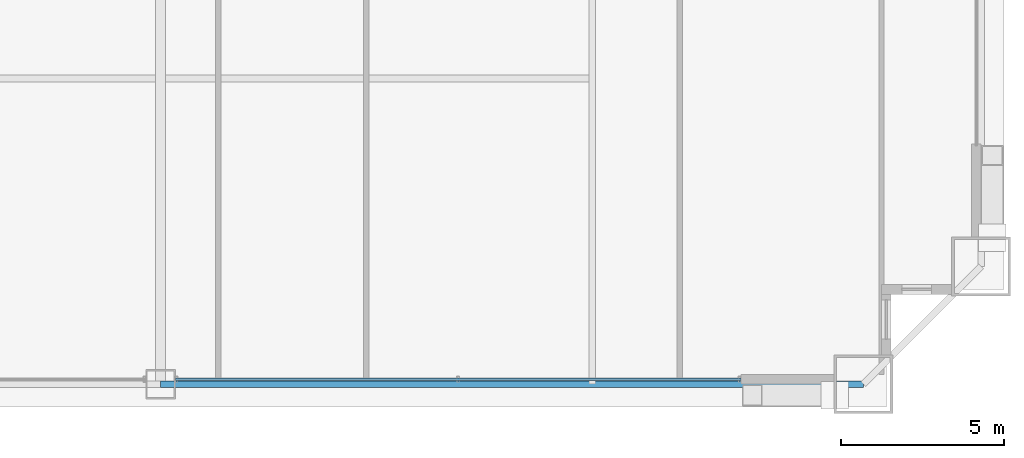
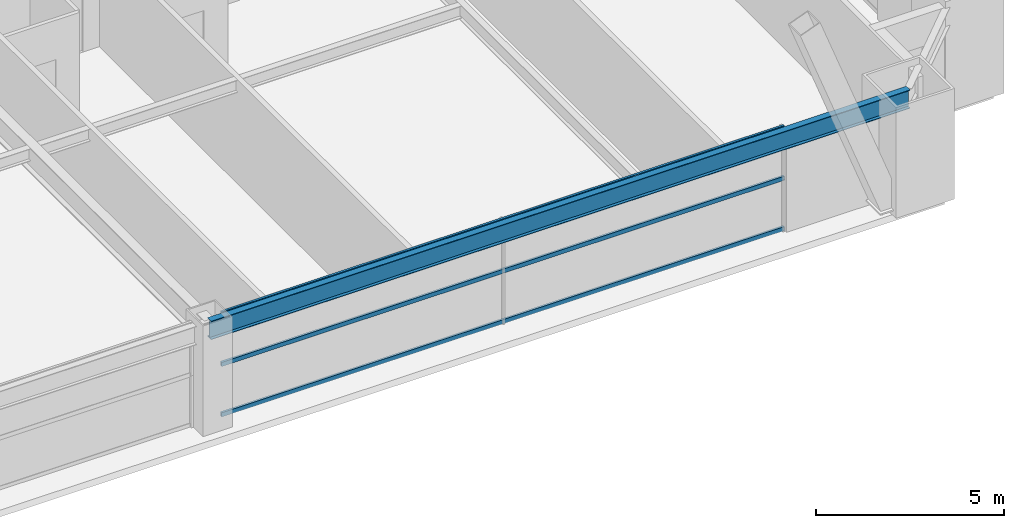
# One storey, part 14 of 43: 3 members, 1 beam, 1 element without a shape of its own.
"""IFC4 building model written with IfcOpenShell, lengths in metres."""

from ifc_helpers import new_model, si_unit, direction, frame, origin, origin_2d, place, context, subcontext, project, spatial, hollow_rectangle, i_section, extrude, source, transform, mapped, material, layer, layer_set, material_profile, profile_set, type_object, element, aggregate, save


model = new_model("IFC4")

# Units and contexts
model_context = context("Model", 3, precision=1e-05, world=origin(), true_north=direction((0.0, 1.0)))
body_context = subcontext(model_context, "Body", "Model", "MODEL_VIEW")
ifc_project = project(units=[si_unit("LENGTHUNIT", "METRE"), si_unit("AREAUNIT", "SQUARE_METRE"), si_unit("VOLUMEUNIT", "CUBIC_METRE"), si_unit("PLANEANGLEUNIT", "RADIAN"), si_unit("MASSUNIT", "GRAM", prefix="KILO"), si_unit("THERMODYNAMICTEMPERATUREUNIT", "KELVIN"), si_unit("POWERUNIT", "WATT")], contexts=[model_context])

# Site, building, storey
site_placement = place(None, origin())
site = spatial("IfcSite", under=ifc_project, at=site_placement, CompositionType="ELEMENT")
building_placement = place(site_placement, origin())
building = spatial("IfcBuilding", under=site, at=building_placement, Name="Yuzanri Waterfront Tower", CompositionType="ELEMENT")
storey_placement = place(building_placement, frame((0.0, 0.0, 74.800048828125)))
storey = spatial("IfcBuildingStorey", under=building, at=storey_placement, Name="L19", CompositionType="ELEMENT", Elevation=74.800048828125)

# Beam
ifc_material_1 = material(Name="Steel Q355B", Category="steel")
ifc_material_profile_1 = material_profile(ifc_material_1, i_section(OverallWidth=0.199951171875, OverallDepth=0.60009765625, WebThickness=0.010986328125, FlangeThickness=0.01708984375, at=origin_2d()), Name="HN 600x200x11x17")
ifc_profile_set_1 = profile_set([ifc_material_profile_1], Name="Steel Q355B")
beam_type = type_object("IfcBeamType", Name="Perimeter Spandrel Q355B HN 600x200", PredefinedType="SPANDREL", material=ifc_profile_set_1)
shared_shape_1 = source(origin(), body_context, "Body", "SweptSolid", [
    extrude(i_section(OverallWidth=0.199951171875, OverallDepth=0.60009765625, WebThickness=0.010986328125, FlangeThickness=0.01708984375, at=origin_2d()), origin(), (0.0, 0.0, 1.0), 21.5),
])
beam_placement = place(storey_placement, frame((37.0, 0.699951171875, 3.079833984375), z_axis=(1.0, 0.0, 0.0), x_axis=(0.0, 1.0, 0.0)))
element("IfcBeam", 1, at=beam_placement, inside=storey, type_object=beam_type, Name="L19 Perimeter Spandrel S2-S3", PredefinedType="SPANDREL", context=body_context, shape_type="MappedRepresentation", body=[
    mapped(shared_shape_1, transform((0.0, 0.0, 0.0), scale=1.0)),
])

# Curtain wall, members
ifc_material_2 = material(Name="Anodized Architectural Bronze", Category="metal")
ifc_layer = layer(ifc_material_2, 0.159912109375)
ifc_layer_set = layer_set([ifc_layer], Name="Anodized Architectural Bronze")
curtain_wall_type = type_object("IfcCurtainWallType", Name="Anodized Bronze Hotel Lower-Tier Recessed Unitized Curtain Wall 8100", PredefinedType="NOTDEFINED", material=ifc_layer_set)
curtain_wall_placement = place(storey_placement, origin())
curtain_wall = element("IfcCurtainWall", 2, at=curtain_wall_placement, inside=storey, type_object=curtain_wall_type, Name="L19 Curtain Wall CW-L19-SR", PredefinedType="NOTDEFINED")
ifc_material_3 = material(Name="Anodized Architectural Bronze", Category="metal")
ifc_material_profile_2 = material_profile(ifc_material_3, hollow_rectangle(XDim=0.070068359375, YDim=0.135009765625, WallThickness=0.00341796875, at=origin_2d()), Name="CWT 70x135")
ifc_profile_set_2 = profile_set([ifc_material_profile_2], Name="Anodized Architectural Bronze")
member_type = type_object("IfcMemberType", Name="Anodized Bronze Standard Curtain-Wall Transom 70x135", PredefinedType="USERDEFINED", material=ifc_profile_set_2)
shared_shape_2 = source(origin(), body_context, "Body", "SweptSolid", [
    extrude(hollow_rectangle(XDim=0.070068359375, YDim=0.135009765625, WallThickness=0.00341796875, at=origin_2d()), origin(), (0.0, 0.0, 1.0), 17.300048828125),
])
member_1_placement = place(storey_placement, frame((37.449951171875, 0.85009765625, 0.050048828125), z_axis=(1.0, 0.0, 0.0), x_axis=(0.0, 1.0, 0.0)))
member_1 = element("IfcMember", 3, at=member_1_placement, type_object=member_type, Name="CW-L19-SR Transom 1", ObjectType="TRANSOM", PredefinedType="USERDEFINED", context=body_context, shape_type="MappedRepresentation", body=[
    mapped(shared_shape_2, transform((0.0, 0.0, 0.0), scale=1.0)),
])
member_2_placement = place(storey_placement, frame((37.449951171875, 0.85009765625, 1.68994140625), z_axis=(1.0, 0.0, 0.0), x_axis=(0.0, 1.0, 0.0)))
member_2 = element("IfcMember", 4, at=member_2_placement, type_object=member_type, Name="CW-L19-SR Transom 2", ObjectType="TRANSOM", PredefinedType="USERDEFINED", context=body_context, shape_type="MappedRepresentation", body=[
    mapped(shared_shape_2, transform((0.0, 0.0, 0.0), scale=1.0)),
])
member_3_placement = place(storey_placement, frame((37.449951171875, 0.85009765625, 3.329833984375), z_axis=(1.0, 0.0, 0.0), x_axis=(0.0, 1.0, 0.0)))
member_3 = element("IfcMember", 5, at=member_3_placement, type_object=member_type, Name="CW-L19-SR Transom 3", ObjectType="TRANSOM", PredefinedType="USERDEFINED", context=body_context, shape_type="MappedRepresentation", body=[
    mapped(shared_shape_2, transform((0.0, 0.0, 0.0), scale=1.0)),
])
aggregate(curtain_wall, [member_1, member_2, member_3])

save(model, "model.ifc")
